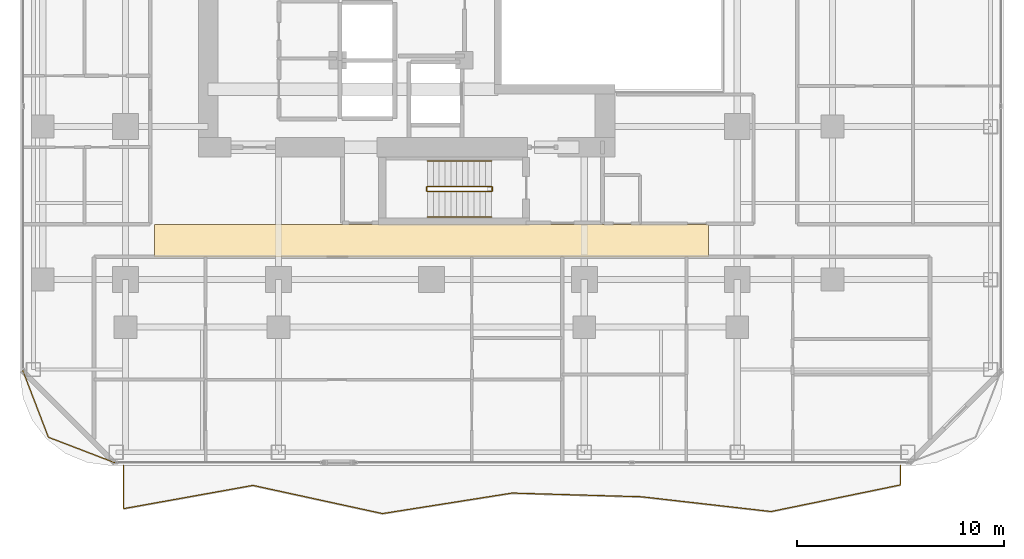
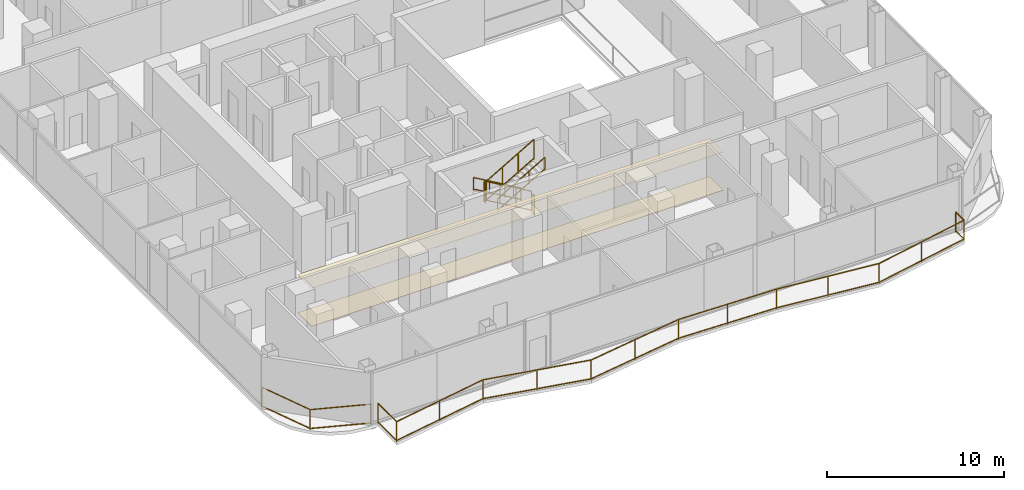
# One storey, part 25 of 27: 8 railings, 2 coverings.
"""IFC4 building model written with IfcOpenShell, lengths in metres."""

from ifc_helpers import new_model, si_unit, direction, frame, origin, origin_2d, place, context, subcontext, project, spatial, polyline, rectangle, outline, extrude, material, layer, layer_set, type_object, element, save


model = new_model("IFC4")

# Units and contexts
model_context = context("Model", 3, precision=1e-05, world=origin(), true_north=direction((0.0, 1.0)))
body_context = subcontext(model_context, "Body", "Model", "MODEL_VIEW")
ifc_project = project(units=[si_unit("LENGTHUNIT", "METRE"), si_unit("AREAUNIT", "SQUARE_METRE"), si_unit("VOLUMEUNIT", "CUBIC_METRE"), si_unit("PLANEANGLEUNIT", "RADIAN"), si_unit("MASSUNIT", "GRAM", prefix="KILO")], contexts=[model_context])

# Site, building, storey
site_placement = place(None, origin())
site = spatial("IfcSite", under=ifc_project, at=site_placement, CompositionType="ELEMENT")
building_placement = place(site_placement, origin())
building = spatial("IfcBuilding", under=site, at=building_placement, Name="Khorvyn Point Tower", CompositionType="ELEMENT")
storey_placement = place(building_placement, frame((0.0, 0.0, 152.39990234375)))
storey = spatial("IfcBuildingStorey", under=building, at=storey_placement, Name="L38", CompositionType="ELEMENT", Elevation=152.39990234375)

# Railings
ifc_material_1 = material(Name="Anodised aluminium 6063-T6 and laminated safety glass", Category="aluminium")
railing_type_1 = type_object("IfcRailingType", Name="Laminated Glass and Aluminium Balcony Guardrail 1400", PredefinedType="BALUSTRADE", material=ifc_material_1)
railing_1_placement = place(storey_placement, frame((-19.774169921875, -19.176025390625, 0.0)))
element("IfcRailing", 1, at=railing_1_placement, inside=storey, type_object=railing_type_1, Name="L38 Rounded Corner Edge Guardrail SW", PredefinedType="BALUSTRADE", context=body_context, shape_type="SweptSolid", body=[
    extrude(rectangle(XDim=0.048095703125, YDim=0.048095703125, at=origin_2d()), frame((0.0, 0.0, 1.3759765625), z_axis=(0.358382264808, -0.933574931257, 0.0), x_axis=(0.933574931257, 0.358382264808, 0.0)), (0.0, 0.0, 1.0), 3.481689453125),
    extrude(rectangle(XDim=0.048095703125, YDim=0.048095703125, at=origin_2d()), frame((0.0, 0.0, 0.080078125), z_axis=(0.358382264808, -0.933574931257, 0.0), x_axis=(0.933574931257, 0.358382264808, 0.0)), (0.0, 0.0, 1.0), 3.481689453125),
    extrude(rectangle(XDim=0.048095703125, YDim=0.048095703125, at=origin_2d()), frame((1.247802734375, -3.25048828125, 1.3759765625), z_axis=(0.933598390295, -0.358321148746, 0.0), x_axis=(0.358321148746, 0.933598390295, 0.0)), (0.0, 0.0, 1.0), 3.481689453125),
    extrude(rectangle(XDim=0.048095703125, YDim=0.048095703125, at=origin_2d()), frame((1.247802734375, -3.25048828125, 0.080078125), z_axis=(0.933598390295, -0.358321148746, 0.0), x_axis=(0.358321148746, 0.933598390295, 0.0)), (0.0, 0.0, 1.0), 3.481689453125),
    extrude(rectangle(XDim=0.0419921875, YDim=0.0419921875, at=origin_2d()), origin(), (0.0, 0.0, 1.0), 1.351806640625),
    extrude(rectangle(XDim=0.0419921875, YDim=0.0419921875, at=origin_2d()), frame((1.247802734375, -3.25048828125, 0.0)), (0.0, 0.0, 1.0), 1.351806640625),
    extrude(rectangle(XDim=0.0419921875, YDim=0.0419921875, at=origin_2d()), frame((4.498291015625, -4.498046875, 0.0)), (0.0, 0.0, 1.0), 1.351806640625),
])
railing_2_placement = place(storey_placement, frame((-14.89990234375, -23.800048828125, 0.0)))
element("IfcRailing", 2, at=railing_2_placement, inside=storey, type_object=railing_type_1, Name="L38 South Balcony Guardrail", PredefinedType="BALUSTRADE", context=body_context, shape_type="SweptSolid", body=[
    extrude(rectangle(XDim=0.048095703125, YDim=0.048095703125, at=origin_2d()), frame((0.0, 0.0, 1.3759765625), z_axis=(0.0, -1.0, 0.0), x_axis=(1.0, 0.0, 0.0)), (0.0, 0.0, 1.0), 2.08349609375),
    extrude(rectangle(XDim=0.048095703125, YDim=0.048095703125, at=origin_2d()), frame((0.0, 0.0, 0.080078125), z_axis=(0.0, -1.0, 0.0), x_axis=(1.0, 0.0, 0.0)), (0.0, 0.0, 1.0), 2.08349609375),
    extrude(rectangle(XDim=0.048095703125, YDim=0.048095703125, at=origin_2d()), frame((0.0, -2.08349609375, 1.3759765625), z_axis=(0.984225013532, 0.176921233148, 0.0), x_axis=(-0.176921233148, 0.984225013532, 0.0)), (0.0, 0.0, 1.0), 6.366943359375),
    extrude(rectangle(XDim=0.048095703125, YDim=0.048095703125, at=origin_2d()), frame((0.0, -2.08349609375, 0.080078125), z_axis=(0.984225013532, 0.176921233148, 0.0), x_axis=(-0.176921233148, 0.984225013532, 0.0)), (0.0, 0.0, 1.0), 6.366943359375),
    extrude(rectangle(XDim=0.048095703125, YDim=0.048095703125, at=origin_2d()), frame((6.2666015625, -0.95703125, 1.3759765625), z_axis=(0.97716055631, -0.212502346319, 0.0), x_axis=(0.212502346319, 0.97716055631, 0.0)), (0.0, 0.0, 1.0), 6.4130859375),
    extrude(rectangle(XDim=0.048095703125, YDim=0.048095703125, at=origin_2d()), frame((6.2666015625, -0.95703125, 0.080078125), z_axis=(0.97716055631, -0.212502346319, 0.0), x_axis=(0.212502346319, 0.97716055631, 0.0)), (0.0, 0.0, 1.0), 6.4130859375),
    extrude(rectangle(XDim=0.048095703125, YDim=0.048095703125, at=origin_2d()), frame((12.533203125, -2.31982421875, 1.3759765625), z_axis=(0.987714557358, 0.156268849051, 0.0), x_axis=(-0.156268849051, 0.987714557358, 0.0)), (0.0, 0.0, 1.0), 6.344482421875),
    extrude(rectangle(XDim=0.048095703125, YDim=0.048095703125, at=origin_2d()), frame((12.533203125, -2.31982421875, 0.080078125), z_axis=(0.987714557358, 0.156268849051, 0.0), x_axis=(-0.156268849051, 0.987714557358, 0.0)), (0.0, 0.0, 1.0), 6.344482421875),
    extrude(rectangle(XDim=0.048095703125, YDim=0.048095703125, at=origin_2d()), frame((18.7998046875, -1.328369140625, 1.3759765625), z_axis=(0.999594750209, -0.028466389902, 0.0), x_axis=(0.028466389902, 0.999594750209, 0.0)), (0.0, 0.0, 1.0), 6.269287109375),
    extrude(rectangle(XDim=0.048095703125, YDim=0.048095703125, at=origin_2d()), frame((18.7998046875, -1.328369140625, 0.080078125), z_axis=(0.999594750209, -0.028466389902, 0.0), x_axis=(0.028466389902, 0.999594750209, 0.0)), (0.0, 0.0, 1.0), 6.269287109375),
    extrude(rectangle(XDim=0.048095703125, YDim=0.048095703125, at=origin_2d()), frame((25.066650390625, -1.5068359375, 1.3759765625), z_axis=(0.993569675103, -0.113222350774, 0.0), x_axis=(0.113222350774, 0.993569675103, 0.0)), (0.0, 0.0, 1.0), 6.30712890625),
    extrude(rectangle(XDim=0.048095703125, YDim=0.048095703125, at=origin_2d()), frame((25.066650390625, -1.5068359375, 0.080078125), z_axis=(0.993569675103, -0.113222350774, 0.0), x_axis=(0.113222350774, 0.993569675103, 0.0)), (0.0, 0.0, 1.0), 6.30712890625),
    extrude(rectangle(XDim=0.048095703125, YDim=0.048095703125, at=origin_2d()), frame((31.333251953125, -2.220947265625, 1.3759765625), z_axis=(0.979506669863, 0.201411726801, 0.0), x_axis=(-0.201411726801, 0.979506669863, 0.0)), (0.0, 0.0, 1.0), 6.397705078125),
    extrude(rectangle(XDim=0.048095703125, YDim=0.048095703125, at=origin_2d()), frame((31.333251953125, -2.220947265625, 0.080078125), z_axis=(0.979506669863, 0.201411726801, 0.0), x_axis=(-0.201411726801, 0.979506669863, 0.0)), (0.0, 0.0, 1.0), 6.397705078125),
    extrude(rectangle(XDim=0.048095703125, YDim=0.048095703125, at=origin_2d()), frame((37.599853515625, -0.932373046875, 1.3759765625), z_axis=(0.0, 1.0, 0.0), x_axis=(-1.0, 0.0, 0.0)), (0.0, 0.0, 1.0), 0.932373046875),
    extrude(rectangle(XDim=0.048095703125, YDim=0.048095703125, at=origin_2d()), frame((37.599853515625, -0.932373046875, 0.080078125), z_axis=(0.0, 1.0, 0.0), x_axis=(-1.0, 0.0, 0.0)), (0.0, 0.0, 1.0), 0.932373046875),
    extrude(rectangle(XDim=0.0419921875, YDim=0.0419921875, at=origin_2d()), origin(), (0.0, 0.0, 1.0), 1.351806640625),
    extrude(rectangle(XDim=0.0419921875, YDim=0.0419921875, at=origin_2d()), frame((0.0, -2.08349609375, 0.0)), (0.0, 0.0, 1.0), 1.351806640625),
    extrude(rectangle(XDim=0.0419921875, YDim=0.0419921875, at=origin_2d()), frame((3.13330078125, -1.520263671875, 0.0)), (0.0, 0.0, 1.0), 1.351806640625),
    extrude(rectangle(XDim=0.0419921875, YDim=0.0419921875, at=origin_2d()), frame((6.2666015625, -0.95703125, 0.0)), (0.0, 0.0, 1.0), 1.351806640625),
    extrude(rectangle(XDim=0.0419921875, YDim=0.0419921875, at=origin_2d()), frame((9.39990234375, -1.638427734375, 0.0)), (0.0, 0.0, 1.0), 1.351806640625),
    extrude(rectangle(XDim=0.0419921875, YDim=0.0419921875, at=origin_2d()), frame((12.533203125, -2.31982421875, 0.0)), (0.0, 0.0, 1.0), 1.351806640625),
    extrude(rectangle(XDim=0.0419921875, YDim=0.0419921875, at=origin_2d()), frame((15.66650390625, -1.82421875, 0.0)), (0.0, 0.0, 1.0), 1.351806640625),
    extrude(rectangle(XDim=0.0419921875, YDim=0.0419921875, at=origin_2d()), frame((18.7998046875, -1.328369140625, 0.0)), (0.0, 0.0, 1.0), 1.351806640625),
    extrude(rectangle(XDim=0.0419921875, YDim=0.0419921875, at=origin_2d()), frame((21.93310546875, -1.41748046875, 0.0)), (0.0, 0.0, 1.0), 1.351806640625),
    extrude(rectangle(XDim=0.0419921875, YDim=0.0419921875, at=origin_2d()), frame((25.066650390625, -1.5068359375, 0.0)), (0.0, 0.0, 1.0), 1.351806640625),
    extrude(rectangle(XDim=0.0419921875, YDim=0.0419921875, at=origin_2d()), frame((28.199951171875, -1.86376953125, 0.0)), (0.0, 0.0, 1.0), 1.351806640625),
    extrude(rectangle(XDim=0.0419921875, YDim=0.0419921875, at=origin_2d()), frame((31.333251953125, -2.220947265625, 0.0)), (0.0, 0.0, 1.0), 1.351806640625),
    extrude(rectangle(XDim=0.0419921875, YDim=0.0419921875, at=origin_2d()), frame((34.466552734375, -1.57666015625, 0.0)), (0.0, 0.0, 1.0), 1.351806640625),
    extrude(rectangle(XDim=0.0419921875, YDim=0.0419921875, at=origin_2d()), frame((37.599853515625, -0.932373046875, 0.0)), (0.0, 0.0, 1.0), 1.351806640625),
    extrude(rectangle(XDim=0.0419921875, YDim=0.0419921875, at=origin_2d()), frame((37.599853515625, 0.0, 0.0)), (0.0, 0.0, 1.0), 1.351806640625),
])

# Coverings
ifc_material_2 = material(Name="Mineral-fibre acoustic ceiling board", Category="gypsum")
ifc_layer_1 = layer(ifc_material_2, 0.02001953125)
ifc_layer_set_1 = layer_set([ifc_layer_1], Name="Perforated Mineral-Fibre Acoustic Suspended Ceiling 20")
covering_type_1 = type_object("IfcCoveringType", Name="Perforated Mineral-Fibre Acoustic Suspended Ceiling 20", PredefinedType="CEILING", material=ifc_layer_set_1)
covering_1_placement = place(storey_placement, frame((0.0, 0.0, 2.6201171875)))
element("IfcCovering", 3, at=covering_1_placement, inside=storey, type_object=covering_type_1, Name="L38 South Corridor Acoustic Ceiling", PredefinedType="CEILING", context=body_context, shape_type="SweptSolid", body=[
    extrude(outline(polyline([(-13.39990234375, -13.7099609375), (13.39990234375, -13.7099609375), (13.39990234375, -12.139892578125), (-13.39990234375, -12.139892578125), (-13.39990234375, -13.7099609375)])), origin(), (0.0, 0.0, 1.0), 0.02001953125),
])
ifc_material_3 = material(Name="Vitrified porcelain terrazzo tile", Category="ceramic")
ifc_layer_2 = layer(ifc_material_3, 0.01806640625)
ifc_layer_set_2 = layer_set([ifc_layer_2], Name="Porcelain Terrazzo Corridor Floor Finish Tile 18")
covering_type_2 = type_object("IfcCoveringType", Name="Porcelain Terrazzo Corridor Floor Finish Tile 18", PredefinedType="FLOORING", material=ifc_layer_set_2)
covering_2_placement = place(storey_placement, origin())
element("IfcCovering", 4, at=covering_2_placement, inside=storey, type_object=covering_type_2, Name="L38 South Corridor Terrazzo Flooring", PredefinedType="FLOORING", context=body_context, shape_type="SweptSolid", body=[
    extrude(outline(polyline([(-13.39990234375, -13.7099609375), (13.39990234375, -13.7099609375), (13.39990234375, -12.139892578125), (-13.39990234375, -12.139892578125), (-13.39990234375, -13.7099609375)])), origin(), (0.0, 0.0, 1.0), 0.01806640625),
])

# Railings
ifc_material_4 = material(Name="Stainless steel 1.4301", Category="steel")
railing_type_2 = type_object("IfcRailingType", Name="Stainless Steel 304 Stair Pitch Handrail 900", PredefinedType="HANDRAIL", material=ifc_material_4)
railing_3_placement = place(storey_placement, frame((2.89990234375, -9.070068359375, 0.16259765625)))
element("IfcRailing", 5, at=railing_3_placement, inside=storey, type_object=railing_type_2, Name="L38 ST-01 stair handrail 1", PredefinedType="HANDRAIL", context=body_context, shape_type="SweptSolid", body=[
    extrude(rectangle(XDim=0.048095703125, YDim=0.048095703125, at=origin_2d()), frame((0.0, 0.0, 0.8759765625), z_axis=(-0.864873446163, 0.0, 0.501989962173), x_axis=(0.0, -1.0, 0.0)), (0.0, 0.0, 1.0), 3.56103515625),
    extrude(rectangle(XDim=0.048095703125, YDim=0.048095703125, at=origin_2d()), frame((0.0, 0.0, 0.080078125), z_axis=(-0.864873446163, 0.0, 0.501989962173), x_axis=(0.0, -1.0, 0.0)), (0.0, 0.0, 1.0), 3.56103515625),
    extrude(rectangle(XDim=0.0419921875, YDim=0.0419921875, at=origin_2d()), origin(), (0.0, 0.0, 1.0), 0.851806640625),
    extrude(rectangle(XDim=0.0419921875, YDim=0.0419921875, at=origin_2d()), frame((-1.026611328125, 0.0, 0.595947265625)), (0.0, 0.0, 1.0), 0.851806640625),
    extrude(rectangle(XDim=0.0419921875, YDim=0.0419921875, at=origin_2d()), frame((-2.05322265625, 0.0, 1.191650390625)), (0.0, 0.0, 1.0), 0.851806640625),
    extrude(rectangle(XDim=0.0419921875, YDim=0.0419921875, at=origin_2d()), frame((-3.079833984375, 0.0, 1.78759765625)), (0.0, 0.0, 1.0), 0.851806640625),
])
railing_4_placement = place(storey_placement, frame((-0.179931640625, -11.77001953125, 2.112548828125)))
element("IfcRailing", 6, at=railing_4_placement, inside=storey, type_object=railing_type_2, Name="L38 ST-01 stair handrail 2", PredefinedType="HANDRAIL", context=body_context, shape_type="SweptSolid", body=[
    extrude(rectangle(XDim=0.048095703125, YDim=0.048095703125, at=origin_2d()), frame((0.0, 0.0, 0.8759765625), z_axis=(0.864873446163, 0.0, 0.501989962173), x_axis=(0.0, 1.0, 0.0)), (0.0, 0.0, 1.0), 3.56103515625),
    extrude(rectangle(XDim=0.048095703125, YDim=0.048095703125, at=origin_2d()), frame((0.0, 0.0, 0.080078125), z_axis=(0.864873446163, 0.0, 0.501989962173), x_axis=(0.0, 1.0, 0.0)), (0.0, 0.0, 1.0), 3.56103515625),
    extrude(rectangle(XDim=0.0419921875, YDim=0.0419921875, at=origin_2d()), origin(), (0.0, 0.0, 1.0), 0.851806640625),
    extrude(rectangle(XDim=0.0419921875, YDim=0.0419921875, at=origin_2d()), frame((1.026611328125, 0.0, 0.595947265625)), (0.0, 0.0, 1.0), 0.851806640625),
    extrude(rectangle(XDim=0.0419921875, YDim=0.0419921875, at=origin_2d()), frame((2.05322265625, 0.0, 1.191650390625)), (0.0, 0.0, 1.0), 0.851806640625),
    extrude(rectangle(XDim=0.0419921875, YDim=0.0419921875, at=origin_2d()), frame((3.079833984375, 0.0, 1.78759765625)), (0.0, 0.0, 1.0), 0.851806640625),
])
railing_type_3 = type_object("IfcRailingType", Name="Stainless Steel 304 Stair Well Guardrail 1400", PredefinedType="GUARDRAIL", material=ifc_material_4)
railing_5_placement = place(storey_placement, frame((2.89990234375, -10.2900390625, 0.16259765625)))
element("IfcRailing", 7, at=railing_5_placement, inside=storey, type_object=railing_type_3, Name="L38 ST-01 stair guard 1", PredefinedType="GUARDRAIL", context=body_context, shape_type="SweptSolid", body=[
    extrude(rectangle(XDim=0.048095703125, YDim=0.048095703125, at=origin_2d()), frame((0.0, 0.0, 1.3759765625), z_axis=(-0.864873446163, 0.0, 0.501989962173), x_axis=(0.0, -1.0, 0.0)), (0.0, 0.0, 1.0), 3.56103515625),
    extrude(rectangle(XDim=0.048095703125, YDim=0.048095703125, at=origin_2d()), frame((0.0, 0.0, 0.080078125), z_axis=(-0.864873446163, 0.0, 0.501989962173), x_axis=(0.0, -1.0, 0.0)), (0.0, 0.0, 1.0), 3.56103515625),
    extrude(rectangle(XDim=0.0419921875, YDim=0.0419921875, at=origin_2d()), origin(), (0.0, 0.0, 1.0), 1.351806640625),
    extrude(rectangle(XDim=0.0419921875, YDim=0.0419921875, at=origin_2d()), frame((-1.026611328125, 0.0, 0.595947265625)), (0.0, 0.0, 1.0), 1.351806640625),
    extrude(rectangle(XDim=0.0419921875, YDim=0.0419921875, at=origin_2d()), frame((-2.05322265625, 0.0, 1.191650390625)), (0.0, 0.0, 1.0), 1.351806640625),
    extrude(rectangle(XDim=0.0419921875, YDim=0.0419921875, at=origin_2d()), frame((-3.079833984375, 0.0, 1.78759765625)), (0.0, 0.0, 1.0), 1.351806640625),
])
railing_6_placement = place(storey_placement, frame((-0.22998046875, -10.340087890625, 1.9501953125)))
element("IfcRailing", 8, at=railing_6_placement, inside=storey, type_object=railing_type_3, Name="L38 ST-01 stair guard 2", PredefinedType="GUARDRAIL", context=body_context, shape_type="SweptSolid", body=[
    extrude(rectangle(XDim=0.048095703125, YDim=0.048095703125, at=origin_2d()), frame((0.0, 0.0, 1.3759765625), z_axis=(0.0, -1.0, 0.0), x_axis=(1.0, 0.0, 0.0)), (0.0, 0.0, 1.0), 0.159912109375),
    extrude(rectangle(XDim=0.048095703125, YDim=0.048095703125, at=origin_2d()), frame((0.0, 0.0, 0.080078125), z_axis=(0.0, -1.0, 0.0), x_axis=(1.0, 0.0, 0.0)), (0.0, 0.0, 1.0), 0.159912109375),
    extrude(rectangle(XDim=0.0419921875, YDim=0.0419921875, at=origin_2d()), origin(), (0.0, 0.0, 1.0), 1.351806640625),
    extrude(rectangle(XDim=0.0419921875, YDim=0.0419921875, at=origin_2d()), frame((0.0, -0.159912109375, 0.0)), (0.0, 0.0, 1.0), 1.351806640625),
])
railing_7_placement = place(storey_placement, frame((-0.179931640625, -10.550048828125, 2.112548828125)))
element("IfcRailing", 9, at=railing_7_placement, inside=storey, type_object=railing_type_3, Name="L38 ST-01 stair guard 3", PredefinedType="GUARDRAIL", context=body_context, shape_type="SweptSolid", body=[
    extrude(rectangle(XDim=0.048095703125, YDim=0.048095703125, at=origin_2d()), frame((0.0, 0.0, 1.3759765625), z_axis=(0.864873446163, 0.0, 0.501989962173), x_axis=(0.0, 1.0, 0.0)), (0.0, 0.0, 1.0), 3.56103515625),
    extrude(rectangle(XDim=0.048095703125, YDim=0.048095703125, at=origin_2d()), frame((0.0, 0.0, 0.080078125), z_axis=(0.864873446163, 0.0, 0.501989962173), x_axis=(0.0, 1.0, 0.0)), (0.0, 0.0, 1.0), 3.56103515625),
    extrude(rectangle(XDim=0.0419921875, YDim=0.0419921875, at=origin_2d()), origin(), (0.0, 0.0, 1.0), 1.351806640625),
    extrude(rectangle(XDim=0.0419921875, YDim=0.0419921875, at=origin_2d()), frame((1.026611328125, 0.0, 0.595947265625)), (0.0, 0.0, 1.0), 1.351806640625),
    extrude(rectangle(XDim=0.0419921875, YDim=0.0419921875, at=origin_2d()), frame((2.05322265625, 0.0, 1.191650390625)), (0.0, 0.0, 1.0), 1.351806640625),
    extrude(rectangle(XDim=0.0419921875, YDim=0.0419921875, at=origin_2d()), frame((3.079833984375, 0.0, 1.78759765625)), (0.0, 0.0, 1.0), 1.351806640625),
])
railing_8_placement = place(storey_placement, frame((2.949951171875, -10.340087890625, 0.0)))
element("IfcRailing", 10, at=railing_8_placement, inside=storey, type_object=railing_type_3, Name="L38 ST-01 stair guard 4", PredefinedType="GUARDRAIL", context=body_context, shape_type="SweptSolid", body=[
    extrude(rectangle(XDim=0.048095703125, YDim=0.048095703125, at=origin_2d()), frame((0.0, 0.0, 1.3759765625), z_axis=(0.0, -1.0, 0.0), x_axis=(1.0, 0.0, 0.0)), (0.0, 0.0, 1.0), 0.159912109375),
    extrude(rectangle(XDim=0.048095703125, YDim=0.048095703125, at=origin_2d()), frame((0.0, 0.0, 0.080078125), z_axis=(0.0, -1.0, 0.0), x_axis=(1.0, 0.0, 0.0)), (0.0, 0.0, 1.0), 0.159912109375),
    extrude(rectangle(XDim=0.0419921875, YDim=0.0419921875, at=origin_2d()), origin(), (0.0, 0.0, 1.0), 1.351806640625),
    extrude(rectangle(XDim=0.0419921875, YDim=0.0419921875, at=origin_2d()), frame((0.0, -0.159912109375, 0.0)), (0.0, 0.0, 1.0), 1.351806640625),
])

save(model, "model.ifc")
